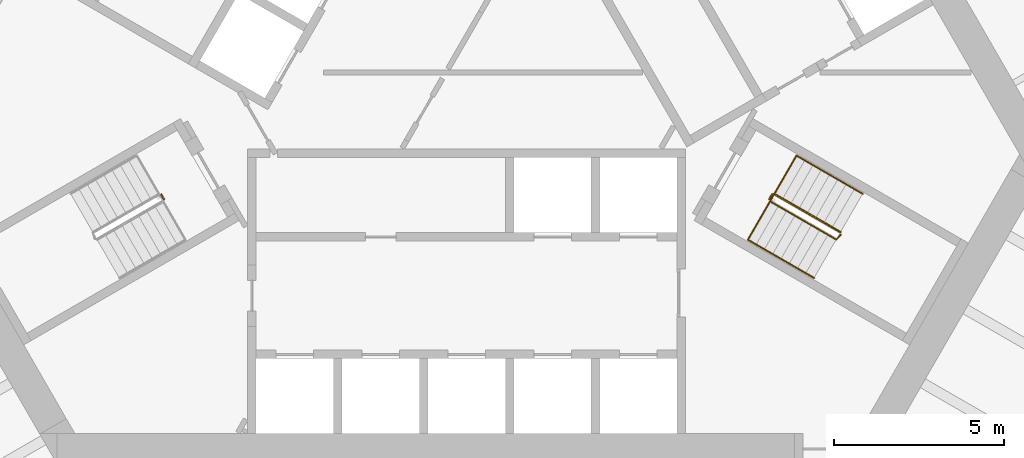
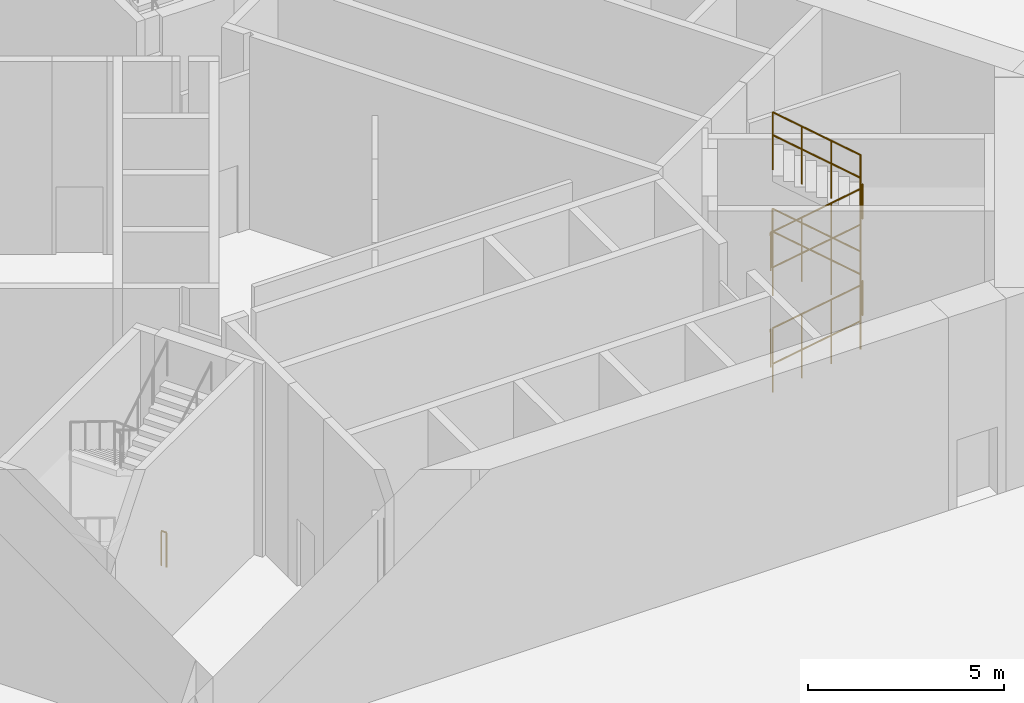
# One storey, part 37 of 41: 7 railings.
"""IFC4 building model written with IfcOpenShell, lengths in metres."""

from ifc_helpers import new_model, si_unit, direction, frame, origin, origin_2d, place, context, subcontext, project, spatial, circle, extrude, material, type_object, element, save


model = new_model("IFC4")

# Units and contexts
model_context = context("Model", 3, precision=1e-05, world=origin(), true_north=direction((0.0, 1.0)))
body_context = subcontext(model_context, "Body", "Model", "MODEL_VIEW")
ifc_project = project(units=[si_unit("LENGTHUNIT", "METRE"), si_unit("AREAUNIT", "SQUARE_METRE"), si_unit("VOLUMEUNIT", "CUBIC_METRE"), si_unit("PLANEANGLEUNIT", "RADIAN"), si_unit("MASSUNIT", "GRAM", prefix="KILO")], contexts=[model_context])

# Site, building, storey
site_placement = place(None, origin())
site = spatial("IfcSite", under=ifc_project, at=site_placement, CompositionType="ELEMENT")
building_placement = place(site_placement, origin())
building = spatial("IfcBuilding", under=site, at=building_placement, Name="Mestral Congress Tower", CompositionType="ELEMENT")
storey_placement = place(building_placement, frame((0.0, 0.0, 21.60009765625)))
storey = spatial("IfcBuildingStorey", under=building, at=storey_placement, Name="L04", CompositionType="ELEMENT", Elevation=21.60009765625)

# Railings
ifc_material_1 = material(Name="Steel balustrade", Category="steel")
railing_type_1 = type_object("IfcRailingType", Name="Stair guard 1100", PredefinedType="GUARDRAIL", material=ifc_material_1)
railing_1_placement = place(storey_placement, frame((8.90087890625, -5.283203125, 0.16650390625)))
element("IfcRailing", 1, at=railing_1_placement, inside=storey, type_object=railing_type_1, Name="L04 ST1 stair guard 1", PredefinedType="GUARDRAIL", context=body_context, shape_type="SweptSolid", body=[
    extrude(circle(Radius=0.02392578125, at=origin_2d()), frame((0.0, 0.0, 1.076171875), z_axis=(0.744138947067, -0.429663917587, 0.511513582794), x_axis=(0.500030632641, 0.866007717299, 0.0)), (0.0, 0.0, 1.0), 2.60693359375),
    extrude(circle(Radius=0.02392578125, at=origin_2d()), frame((1.93994140625, -1.1201171875, 2.40966796875), z_axis=(0.695164929852, 0.718850276695, 0.0), x_axis=(-0.718850276695, 0.695164929852, 0.0)), (0.0, 0.0, 1.0), 0.2060546875),
    extrude(circle(Radius=0.02099609375, at=origin_2d()), origin(), (0.0, 0.0, 1.0), 1.052001953125),
    extrude(circle(Radius=0.02099609375, at=origin_2d()), frame((0.646728515625, -0.373291015625, 0.444580078125)), (0.0, 0.0, 1.0), 1.052001953125),
    extrude(circle(Radius=0.02099609375, at=origin_2d()), frame((1.293212890625, -0.746826171875, 0.888916015625)), (0.0, 0.0, 1.0), 1.052001953125),
    extrude(circle(Radius=0.02099609375, at=origin_2d()), frame((1.93994140625, -1.1201171875, 1.33349609375)), (0.0, 0.0, 1.0), 1.052001953125),
    extrude(circle(Radius=0.02099609375, at=origin_2d()), frame((2.083251953125, -0.971923828125, 1.33349609375)), (0.0, 0.0, 1.0), 1.052001953125),
])
railing_2_placement = place(storey_placement, frame((10.9658203125, -6.186767578125, 1.66650390625)))
element("IfcRailing", 2, at=railing_2_placement, inside=storey, type_object=railing_type_1, Name="L04 ST1 stair guard 2", PredefinedType="GUARDRAIL", context=body_context, shape_type="SweptSolid", body=[
    extrude(circle(Radius=0.02392578125, at=origin_2d()), frame((0.0, 0.0, 1.076171875), z_axis=(-0.744138947067, 0.429663917587, 0.511513582794), x_axis=(-0.500030632641, -0.866007717299, 0.0)), (0.0, 0.0, 1.0), 2.60693359375),
    extrude(circle(Radius=0.02392578125, at=origin_2d()), frame((-1.93994140625, 1.1201171875, 2.40966796875), z_axis=(-0.965948051503, -0.258736085224, 0.0), x_axis=(0.258736085224, -0.965948051503, 0.0)), (0.0, 0.0, 1.0), 0.07080078125),
    extrude(circle(Radius=0.02392578125, at=origin_2d()), frame((-2.00830078125, 1.101806640625, 2.40966796875), z_axis=(-0.499816412211, -0.866131372301, 0.0), x_axis=(0.866131372301, -0.499816412211, 0.0)), (0.0, 0.0, 1.0), 0.14990234375),
    extrude(circle(Radius=0.02099609375, at=origin_2d()), origin(), (0.0, 0.0, 1.0), 1.052001953125),
    extrude(circle(Radius=0.02099609375, at=origin_2d()), frame((-0.646728515625, 0.373291015625, 0.444580078125)), (0.0, 0.0, 1.0), 1.052001953125),
    extrude(circle(Radius=0.02099609375, at=origin_2d()), frame((-1.293212890625, 0.746826171875, 0.888916015625)), (0.0, 0.0, 1.0), 1.052001953125),
    extrude(circle(Radius=0.02099609375, at=origin_2d()), frame((-1.93994140625, 1.1201171875, 1.33349609375)), (0.0, 0.0, 1.0), 1.052001953125),
    extrude(circle(Radius=0.02099609375, at=origin_2d()), frame((-2.00830078125, 1.101806640625, 1.33349609375)), (0.0, 0.0, 1.0), 1.052001953125),
    extrude(circle(Radius=0.02099609375, at=origin_2d()), frame((-2.083251953125, 0.971923828125, 1.33349609375)), (0.0, 0.0, 1.0), 1.052001953125),
])
railing_3_placement = place(storey_placement, frame((8.90087890625, -5.283203125, 3.16650390625)))
element("IfcRailing", 3, at=railing_3_placement, inside=storey, type_object=railing_type_1, Name="L04 ST1 stair guard 3", PredefinedType="GUARDRAIL", context=body_context, shape_type="SweptSolid", body=[
    extrude(circle(Radius=0.02392578125, at=origin_2d()), frame((0.0, 0.0, 1.076171875), z_axis=(0.744138947067, -0.429663917587, 0.511513582794), x_axis=(0.500030632641, 0.866007717299, 0.0)), (0.0, 0.0, 1.0), 2.60693359375),
    extrude(circle(Radius=0.02392578125, at=origin_2d()), frame((1.93994140625, -1.1201171875, 2.40966796875), z_axis=(0.695164929852, 0.718850276695, 0.0), x_axis=(-0.718850276695, 0.695164929852, 0.0)), (0.0, 0.0, 1.0), 0.2060546875),
    extrude(circle(Radius=0.02099609375, at=origin_2d()), origin(), (0.0, 0.0, 1.0), 1.052001953125),
    extrude(circle(Radius=0.02099609375, at=origin_2d()), frame((0.646728515625, -0.373291015625, 0.444580078125)), (0.0, 0.0, 1.0), 1.052001953125),
    extrude(circle(Radius=0.02099609375, at=origin_2d()), frame((1.293212890625, -0.746826171875, 0.888916015625)), (0.0, 0.0, 1.0), 1.052001953125),
    extrude(circle(Radius=0.02099609375, at=origin_2d()), frame((1.93994140625, -1.1201171875, 1.33349609375)), (0.0, 0.0, 1.0), 1.052001953125),
    extrude(circle(Radius=0.02099609375, at=origin_2d()), frame((2.083251953125, -0.971923828125, 1.33349609375)), (0.0, 0.0, 1.0), 1.052001953125),
])
railing_4_placement = place(storey_placement, frame((10.9658203125, -6.186767578125, 4.66650390625)))
element("IfcRailing", 4, at=railing_4_placement, inside=storey, type_object=railing_type_1, Name="L04 ST1 stair guard 4", PredefinedType="GUARDRAIL", context=body_context, shape_type="SweptSolid", body=[
    extrude(circle(Radius=0.02392578125, at=origin_2d()), frame((0.0, 0.0, 1.076171875), z_axis=(-0.744138947067, 0.429663917587, 0.511513582794), x_axis=(-0.500030632641, -0.866007717299, 0.0)), (0.0, 0.0, 1.0), 2.60693359375),
    extrude(circle(Radius=0.02099609375, at=origin_2d()), origin(), (0.0, 0.0, 1.0), 1.052001953125),
    extrude(circle(Radius=0.02099609375, at=origin_2d()), frame((-0.646728515625, 0.373291015625, 0.444580078125)), (0.0, 0.0, 1.0), 1.052001953125),
    extrude(circle(Radius=0.02099609375, at=origin_2d()), frame((-1.293212890625, 0.746826171875, 0.888916015625)), (0.0, 0.0, 1.0), 1.052001953125),
    extrude(circle(Radius=0.02099609375, at=origin_2d()), frame((-1.93994140625, 1.1201171875, 1.33349609375)), (0.0, 0.0, 1.0), 1.052001953125),
])
railing_5_placement = place(storey_placement, frame((8.882568359375, -5.21484375, 0.0)))
element("IfcRailing", 5, at=railing_5_placement, inside=storey, type_object=railing_type_1, Name="L04 ST1 stair guard 5", PredefinedType="GUARDRAIL", context=body_context, shape_type="SweptSolid", body=[
    extrude(circle(Radius=0.02392578125, at=origin_2d()), frame((0.0, 0.0, 1.076171875), z_axis=(0.499816412211, 0.866131372301, 0.0), x_axis=(-0.866131372301, 0.499816412211, 0.0)), (0.0, 0.0, 1.0), 0.14990234375),
    extrude(circle(Radius=0.02099609375, at=origin_2d()), origin(), (0.0, 0.0, 1.0), 1.052001953125),
    extrude(circle(Radius=0.02099609375, at=origin_2d()), frame((0.074951171875, 0.1298828125, 0.0)), (0.0, 0.0, 1.0), 1.052001953125),
])
railing_6_placement = place(storey_placement, frame((-8.95751953125, -5.0849609375, 0.0)))
element("IfcRailing", 6, at=railing_6_placement, inside=storey, type_object=railing_type_1, Name="L04 ST3 stair guard 5", PredefinedType="GUARDRAIL", context=body_context, shape_type="SweptSolid", body=[
    extrude(circle(Radius=0.02392578125, at=origin_2d()), frame((0.0, 0.0, 1.076171875), z_axis=(0.499816412211, -0.866131372301, 0.0), x_axis=(0.866131372301, 0.499816412211, 0.0)), (0.0, 0.0, 1.0), 0.14990234375),
    extrude(circle(Radius=0.02099609375, at=origin_2d()), origin(), (0.0, 0.0, 1.0), 1.052001953125),
    extrude(circle(Radius=0.02099609375, at=origin_2d()), frame((0.074951171875, -0.1298828125, 0.0)), (0.0, 0.0, 1.0), 1.052001953125),
])
ifc_material_2 = material(Name="Steel handrail", Category="steel")
railing_type_2 = type_object("IfcRailingType", Name="Stair handrail 900", PredefinedType="HANDRAIL", material=ifc_material_2)
railing_7_placement = place(storey_placement, frame((8.2509765625, -6.4091796875, 0.16650390625)))
element("IfcRailing", 7, at=railing_7_placement, inside=storey, type_object=railing_type_2, Name="L04 ST1 stair handrail 1", PredefinedType="HANDRAIL", context=body_context, shape_type="SweptSolid", body=[
    extrude(circle(Radius=0.02392578125, at=origin_2d()), frame((0.0, 0.0, 0.8759765625), z_axis=(0.744127094489, -0.429617493068, 0.511569816249), x_axis=(0.49999608499, 0.866027664105, 0.0)), (0.0, 0.0, 1.0), 2.606689453125),
    extrude(circle(Radius=0.02392578125, at=origin_2d()), frame((1.939697265625, -1.119873046875, 2.20947265625), z_axis=(0.0, 0.0, 1.0), x_axis=(1.0, 0.0, 0.0)), (0.0, 0.0, 1.0), 3.0),
    extrude(circle(Radius=0.02392578125, at=origin_2d()), frame((1.939697265625, -1.119873046875, 5.20947265625), z_axis=(-0.744127094489, 0.429617493068, -0.511569816249), x_axis=(-0.49999608499, -0.866027664105, 0.0)), (0.0, 0.0, 1.0), 2.606689453125),
    extrude(circle(Radius=0.02392578125, at=origin_2d()), frame((0.0, 0.0, 3.8759765625), z_axis=(0.499084011405, 0.864588648956, -0.058323388584), x_axis=(-0.866062911188, 0.499935029643, 0.0)), (0.0, 0.0, 1.0), 2.854736328125),
    extrude(circle(Radius=0.02392578125, at=origin_2d()), frame((1.4248046875, 2.46826171875, 3.70947265625), z_axis=(0.744138947067, -0.429663917587, -0.511513582794), x_axis=(0.500030632641, 0.866007717299, 0.0)), (0.0, 0.0, 1.0), 2.60693359375),
    extrude(circle(Radius=0.02392578125, at=origin_2d()), frame((3.36474609375, 1.34814453125, 2.3759765625), z_axis=(0.0, 0.0, 1.0), x_axis=(1.0, 0.0, 0.0)), (0.0, 0.0, 1.0), 3.0),
    extrude(circle(Radius=0.02392578125, at=origin_2d()), frame((3.36474609375, 1.34814453125, 5.3759765625), z_axis=(-0.744138947067, 0.429663917587, 0.511513582794), x_axis=(-0.500030632641, -0.866007717299, 0.0)), (0.0, 0.0, 1.0), 2.60693359375),
    extrude(circle(Radius=0.02099609375, at=origin_2d()), origin(), (0.0, 0.0, 1.0), 0.851806640625),
    extrude(circle(Radius=0.02099609375, at=origin_2d()), frame((0.646484375, -0.373291015625, 0.444580078125)), (0.0, 0.0, 1.0), 0.851806640625),
    extrude(circle(Radius=0.02099609375, at=origin_2d()), frame((1.293212890625, -0.74658203125, 0.888916015625)), (0.0, 0.0, 1.0), 0.851806640625),
    extrude(circle(Radius=0.02099609375, at=origin_2d()), frame((1.939697265625, -1.119873046875, 1.33349609375)), (0.0, 0.0, 1.0), 0.851806640625),
    extrude(circle(Radius=0.02099609375, at=origin_2d()), frame((1.939697265625, -1.119873046875, 2.33349609375)), (0.0, 0.0, 1.0), 0.851806640625),
    extrude(circle(Radius=0.02099609375, at=origin_2d()), frame((1.939697265625, -1.119873046875, 3.33349609375)), (0.0, 0.0, 1.0), 0.851806640625),
    extrude(circle(Radius=0.02099609375, at=origin_2d()), frame((1.939697265625, -1.119873046875, 4.33349609375)), (0.0, 0.0, 1.0), 0.851806640625),
    extrude(circle(Radius=0.02099609375, at=origin_2d()), frame((1.293212890625, -0.74658203125, 3.888916015625)), (0.0, 0.0, 1.0), 0.851806640625),
    extrude(circle(Radius=0.02099609375, at=origin_2d()), frame((0.646484375, -0.373291015625, 3.444580078125)), (0.0, 0.0, 1.0), 0.851806640625),
    extrude(circle(Radius=0.02099609375, at=origin_2d()), frame((0.0, 0.0, 3.0)), (0.0, 0.0, 1.0), 0.851806640625),
    extrude(circle(Radius=0.02099609375, at=origin_2d()), frame((0.474853515625, 0.82275390625, 2.944580078125)), (0.0, 0.0, 1.0), 0.851806640625),
    extrude(circle(Radius=0.02099609375, at=origin_2d()), frame((0.949951171875, 1.6455078125, 2.888916015625)), (0.0, 0.0, 1.0), 0.851806640625),
    extrude(circle(Radius=0.02099609375, at=origin_2d()), frame((1.4248046875, 2.46826171875, 2.83349609375)), (0.0, 0.0, 1.0), 0.851806640625),
    extrude(circle(Radius=0.02099609375, at=origin_2d()), frame((2.071533203125, 2.094970703125, 2.388916015625)), (0.0, 0.0, 1.0), 0.851806640625),
    extrude(circle(Radius=0.02099609375, at=origin_2d()), frame((2.718017578125, 1.721435546875, 1.944580078125)), (0.0, 0.0, 1.0), 0.851806640625),
    extrude(circle(Radius=0.02099609375, at=origin_2d()), frame((3.36474609375, 1.34814453125, 1.5)), (0.0, 0.0, 1.0), 0.851806640625),
    extrude(circle(Radius=0.02099609375, at=origin_2d()), frame((3.36474609375, 1.34814453125, 2.5)), (0.0, 0.0, 1.0), 0.851806640625),
    extrude(circle(Radius=0.02099609375, at=origin_2d()), frame((3.36474609375, 1.34814453125, 3.5)), (0.0, 0.0, 1.0), 0.851806640625),
    extrude(circle(Radius=0.02099609375, at=origin_2d()), frame((3.36474609375, 1.34814453125, 4.5)), (0.0, 0.0, 1.0), 0.851806640625),
    extrude(circle(Radius=0.02099609375, at=origin_2d()), frame((2.718017578125, 1.721435546875, 4.944580078125)), (0.0, 0.0, 1.0), 0.851806640625),
    extrude(circle(Radius=0.02099609375, at=origin_2d()), frame((2.071533203125, 2.094970703125, 5.388916015625)), (0.0, 0.0, 1.0), 0.851806640625),
    extrude(circle(Radius=0.02099609375, at=origin_2d()), frame((1.4248046875, 2.46826171875, 5.83349609375)), (0.0, 0.0, 1.0), 0.851806640625),
])

save(model, "model.ifc")
